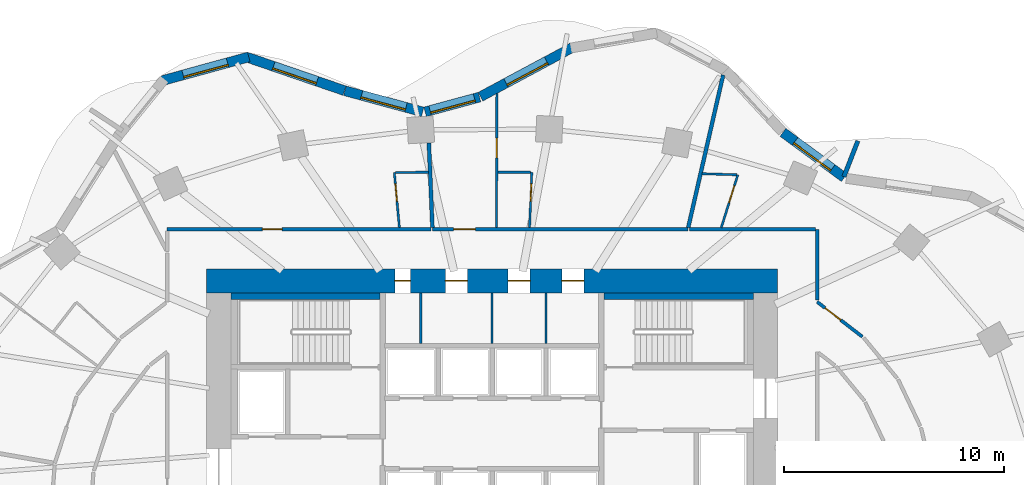
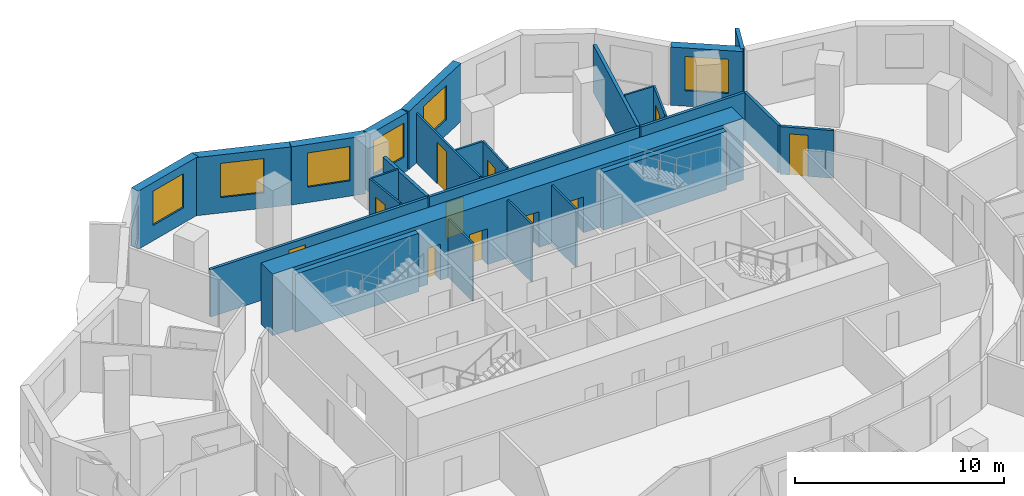
# One storey, part 8 of 10: 27 walls, 11 doors, 6 windows, 17 openings.
"""IFC4 building model written with IfcOpenShell, lengths in metres."""

from ifc_helpers import new_model, si_unit, direction, frame, frame_2d, origin, place, context, subcontext, project, spatial, rectangle, extrude, material, layer, layer_set, type_object, element, fill, save


model = new_model("IFC4")

# Units and contexts
model_context = context("Model", 3, precision=1e-05, world=origin(), true_north=direction((0.0, 1.0)))
body_context = subcontext(model_context, "Body", "Model", "MODEL_VIEW")
ifc_project = project(units=[si_unit("LENGTHUNIT", "METRE"), si_unit("AREAUNIT", "SQUARE_METRE"), si_unit("VOLUMEUNIT", "CUBIC_METRE"), si_unit("PLANEANGLEUNIT", "RADIAN"), si_unit("MASSUNIT", "GRAM", prefix="KILO")], contexts=[model_context])

# Site, building, storey
site_placement = place(None, origin())
site = spatial("IfcSite", under=ifc_project, at=site_placement, CompositionType="ELEMENT")
building_placement = place(site_placement, origin())
building = spatial("IfcBuilding", under=site, at=building_placement, Name="Rubra Terraces Tower", CompositionType="ELEMENT")
storey_placement = place(building_placement, frame((0.0, 0.0, 88.800048828125)))
storey = spatial("IfcBuildingStorey", under=building, at=storey_placement, Name="L20", CompositionType="ELEMENT", Elevation=88.800048828125)

# Walls
ifc_material_1 = material(Name="Twin plasterboard on staggered steel stud, acoustic mineral wool", Category="steel")
ifc_layer_1 = layer(ifc_material_1, 0.175048828125)
ifc_layer_set_1 = layer_set([ifc_layer_1], Name="Twin plasterboard on staggered steel stud, acoustic mineral wool")
wall_type_1 = type_object("IfcWallType", Name="ACOUSTIC PARTY WALL 175", PredefinedType="PARTITIONING", material=ifc_layer_set_1)
wall_1_placement = place(storey_placement, frame((10.518798828125, 20.8251953125, 0.0), z_axis=(0.0, 0.0, 1.0), x_axis=(-0.223124088509, -0.974790049768, 0.0)))
element("IfcWall", 1, at=wall_1_placement, inside=storey, type_object=wall_type_1, Name="PARTITION", PredefinedType="PARTITIONING", context=body_context, shape_type="SweptSolid", body=[
    extrude(rectangle(XDim=7.1318359375, YDim=0.175048828125, at=frame_2d((3.56591796875, 0.0))), origin(), (0.0, 0.0, 1.0), 2.783935546875),
])
wall_2_placement = place(storey_placement, frame((-2.88232421875, 17.732177734375, 0.0), z_axis=(0.0, 0.0, 1.0), x_axis=(0.04199090748, -0.999117992876, 0.0)))
element("IfcWall", 2, at=wall_2_placement, inside=storey, type_object=wall_type_1, Name="PARTITION", PredefinedType="PARTITIONING", context=body_context, shape_type="SweptSolid", body=[
    extrude(rectangle(XDim=3.860595703125, YDim=0.175048828125, at=frame_2d((1.93017578125, 0.0))), origin(), (0.0, 0.0, 1.0), 2.783935546875),
])

# Wall, opening, window
ifc_material_2 = material(Name="Brick masonry red-brown", Category="masonry")
ifc_layer_2 = layer(ifc_material_2, 0.449951171875)
ifc_layer_set_2 = layer_set([ifc_layer_2], Name="Brick masonry red-brown")
wall_type_2 = type_object("IfcWallType", Name="Brick facade wall 450", PredefinedType="SOLIDWALL", material=ifc_layer_set_2)
wall_3_placement = place(storey_placement, frame((16.03564453125, 16.15771484375, 0.0), z_axis=(0.0, 0.0, 1.0), x_axis=(-0.805181432967, 0.593028549064, 0.0)))
wall_3 = element("IfcWall", 3, at=wall_3_placement, inside=storey, type_object=wall_type_2, Name="Facade wall L20 bay 6", PredefinedType="SOLIDWALL", context=body_context, shape_type="SweptSolid", body=[
    extrude(rectangle(XDim=3.468505859375, YDim=0.449951171875, at=frame_2d((1.734375, 0.0))), origin(), (0.0, 0.0, 1.0), 3.39990234375),
])
opening_1_placement = place(wall_3_placement, frame((0.684326171875, 0.0, 0.89990234375)))
opening_1 = element("IfcOpeningElement", 4, at=opening_1_placement, cuts=wall_3, Name="Opening W1", PredefinedType="OPENING", context=body_context, shape_type="SweptSolid", body=[
    extrude(rectangle(XDim=2.10009765625, YDim=2.0, at=frame_2d((1.050048828125, 1.0))), frame((0.0, 0.23486328125, 0.0), z_axis=(0.0, -1.0, 0.0), x_axis=(1.0, 0.0, 0.0)), (0.0, 0.0, 1.0), 0.469970703125),
])
ifc_material_3 = material(Name="Clear glass in aluminium frame", Category="aluminium")
window_type = type_object("IfcWindowType", Name="Fixed deep-set window 2100 x 2000", PartitioningType="SINGLE_PANEL", PredefinedType="WINDOW", material=ifc_material_3)
window_1_placement = place(opening_1_placement, origin())
window_1 = element("IfcWindow", 5, at=window_1_placement, inside=storey, type_object=window_type, Name="Window L20 bay 6", OverallHeight=2.0, OverallWidth=2.10009765625, PartitioningType="SINGLE_PANEL", PredefinedType="WINDOW", context=body_context, shape_type="SweptSolid", body=[
    extrude(rectangle(XDim=2.10009765625, YDim=2.0, at=frame_2d((1.050048828125, 1.0))), frame((0.0, 0.135009765625, 0.0), z_axis=(0.0, -1.0, 0.0), x_axis=(1.0, 0.0, 0.0)), (0.0, 0.0, 1.0), 0.06005859375),
])
fill(opening_1, window_1)

wall_4_placement = place(storey_placement, frame((3.6455078125, 22.07861328125, 0.0), z_axis=(0.0, 0.0, 1.0), x_axis=(-0.881279133897, -0.472596115259, 0.0)))
wall_4 = element("IfcWall", 6, at=wall_4_placement, inside=storey, type_object=wall_type_2, Name="Facade wall L20 bay 10", PredefinedType="SOLIDWALL", context=body_context, shape_type="SweptSolid", body=[
    extrude(rectangle(XDim=4.736572265625, YDim=0.449951171875, at=frame_2d((2.3681640625, 0.0))), origin(), (0.0, 0.0, 1.0), 3.39990234375),
])
opening_2_placement = place(wall_4_placement, frame((1.318115234375, 0.0, 0.89990234375)))
opening_2 = element("IfcOpeningElement", 7, at=opening_2_placement, cuts=wall_4, Name="Opening W1", PredefinedType="OPENING", context=body_context, shape_type="SweptSolid", body=[
    extrude(rectangle(XDim=2.10009765625, YDim=2.0, at=frame_2d((1.050048828125, 1.0))), frame((0.0, 0.23486328125, 0.0), z_axis=(0.0, -1.0, 0.0), x_axis=(1.0, 0.0, 0.0)), (0.0, 0.0, 1.0), 0.469970703125),
])
window_2_placement = place(opening_2_placement, origin())
window_2 = element("IfcWindow", 8, at=window_2_placement, inside=storey, type_object=window_type, Name="Window L20 bay 10", OverallHeight=2.0, OverallWidth=2.10009765625, PartitioningType="SINGLE_PANEL", PredefinedType="WINDOW", context=body_context, shape_type="SweptSolid", body=[
    extrude(rectangle(XDim=2.10009765625, YDim=2.0, at=frame_2d((1.050048828125, 1.0))), frame((0.0, 0.135009765625, 0.0), z_axis=(0.0, -1.0, 0.0), x_axis=(1.0, 0.0, 0.0)), (0.0, 0.0, 1.0), 0.06005859375),
])
fill(opening_2, window_2)

wall_5_placement = place(storey_placement, frame((-0.576171875, 19.8212890625, 0.0), z_axis=(0.0, 0.0, 1.0), x_axis=(-0.965009398019, -0.262215296532, 0.0)))
wall_5 = element("IfcWall", 9, at=wall_5_placement, inside=storey, type_object=wall_type_2, Name="Facade wall L20 bay 11", PredefinedType="SOLIDWALL", context=body_context, shape_type="SweptSolid", body=[
    extrude(rectangle(XDim=2.565185546875, YDim=0.449951171875, at=frame_2d((1.28271484375, 0.0))), origin(), (0.0, 0.0, 1.0), 3.39990234375),
])
opening_3_placement = place(wall_5_placement, frame((0.232666015625, 0.0, 0.89990234375)))
opening_3 = element("IfcOpeningElement", 10, at=opening_3_placement, cuts=wall_5, Name="Opening W1", PredefinedType="OPENING", context=body_context, shape_type="SweptSolid", body=[
    extrude(rectangle(XDim=2.10009765625, YDim=2.0, at=frame_2d((1.050048828125, 1.0))), frame((0.0, 0.23486328125, 0.0), z_axis=(0.0, -1.0, 0.0), x_axis=(1.0, 0.0, 0.0)), (0.0, 0.0, 1.0), 0.469970703125),
])
window_3_placement = place(opening_3_placement, origin())
window_3 = element("IfcWindow", 11, at=window_3_placement, inside=storey, type_object=window_type, Name="Window L20 bay 11", OverallHeight=2.0, OverallWidth=2.10009765625, PartitioningType="SINGLE_PANEL", PredefinedType="WINDOW", context=body_context, shape_type="SweptSolid", body=[
    extrude(rectangle(XDim=2.10009765625, YDim=2.0, at=frame_2d((1.050048828125, 1.0))), frame((0.0, 0.135009765625, 0.0), z_axis=(0.0, -1.0, 0.0), x_axis=(1.0, 0.0, 0.0)), (0.0, 0.0, 1.0), 0.06005859375),
])
fill(opening_3, window_3)

wall_6_placement = place(storey_placement, frame((-3.164306640625, 19.147216796875, 0.0), z_axis=(0.0, 0.0, 1.0), x_axis=(-0.965039479998, 0.262104563191, 0.0)))
wall_6 = element("IfcWall", 12, at=wall_6_placement, inside=storey, type_object=wall_type_2, Name="Facade wall L20 bay 12", PredefinedType="SOLIDWALL", context=body_context, shape_type="SweptSolid", body=[
    extrude(rectangle(XDim=3.671875, YDim=0.449951171875, at=frame_2d((1.8359375, 0.0))), origin(), (0.0, 0.0, 1.0), 3.39990234375),
])
opening_4_placement = place(wall_6_placement, frame((0.785888671875, 0.0, 0.89990234375)))
opening_4 = element("IfcOpeningElement", 13, at=opening_4_placement, cuts=wall_6, Name="Opening W1", PredefinedType="OPENING", context=body_context, shape_type="SweptSolid", body=[
    extrude(rectangle(XDim=2.10009765625, YDim=2.0, at=frame_2d((1.050048828125, 1.0))), frame((0.0, 0.23486328125, 0.0), z_axis=(0.0, -1.0, 0.0), x_axis=(1.0, 0.0, 0.0)), (0.0, 0.0, 1.0), 0.469970703125),
])
window_4_placement = place(opening_4_placement, origin())
window_4 = element("IfcWindow", 14, at=window_4_placement, inside=storey, type_object=window_type, Name="Window L20 bay 12", OverallHeight=2.0, OverallWidth=2.10009765625, PartitioningType="SINGLE_PANEL", PredefinedType="WINDOW", context=body_context, shape_type="SweptSolid", body=[
    extrude(rectangle(XDim=2.10009765625, YDim=2.0, at=frame_2d((1.050048828125, 1.0))), frame((0.0, 0.135009765625, 0.0), z_axis=(0.0, -1.0, 0.0), x_axis=(1.0, 0.0, 0.0)), (0.0, 0.0, 1.0), 0.06005859375),
])
fill(opening_4, window_4)

wall_7_placement = place(storey_placement, frame((-6.722900390625, 20.114013671875, 0.0), z_axis=(0.0, 0.0, 1.0), x_axis=(-0.945947299026, 0.324320377815, 0.0)))
wall_7 = element("IfcWall", 15, at=wall_7_placement, inside=storey, type_object=wall_type_2, Name="Facade wall L20 bay 13", PredefinedType="SOLIDWALL", context=body_context, shape_type="SweptSolid", body=[
    extrude(rectangle(XDim=4.74462890625, YDim=0.449951171875, at=frame_2d((2.372314453125, 0.0))), origin(), (0.0, 0.0, 1.0), 3.39990234375),
])
opening_5_placement = place(wall_7_placement, frame((1.322265625, 0.0, 0.89990234375)))
opening_5 = element("IfcOpeningElement", 16, at=opening_5_placement, cuts=wall_7, Name="Opening W1", PredefinedType="OPENING", context=body_context, shape_type="SweptSolid", body=[
    extrude(rectangle(XDim=2.10009765625, YDim=2.0, at=frame_2d((1.050048828125, 1.0))), frame((0.0, 0.23486328125, 0.0), z_axis=(0.0, -1.0, 0.0), x_axis=(1.0, 0.0, 0.0)), (0.0, 0.0, 1.0), 0.469970703125),
])
window_5_placement = place(opening_5_placement, origin())
window_5 = element("IfcWindow", 17, at=window_5_placement, inside=storey, type_object=window_type, Name="Window L20 bay 13", OverallHeight=2.0, OverallWidth=2.10009765625, PartitioningType="SINGLE_PANEL", PredefinedType="WINDOW", context=body_context, shape_type="SweptSolid", body=[
    extrude(rectangle(XDim=2.10009765625, YDim=2.0, at=frame_2d((1.050048828125, 1.0))), frame((0.0, 0.135009765625, 0.0), z_axis=(0.0, -1.0, 0.0), x_axis=(1.0, 0.0, 0.0)), (0.0, 0.0, 1.0), 0.06005859375),
])
fill(opening_5, window_5)

wall_8_placement = place(storey_placement, frame((-11.08251953125, 21.64990234375, 0.0), z_axis=(0.0, 0.0, 1.0), x_axis=(-0.964483204983, -0.264144179011, 0.0)))
wall_8 = element("IfcWall", 18, at=wall_8_placement, inside=storey, type_object=wall_type_2, Name="Facade wall L20 bay 14", PredefinedType="SOLIDWALL", context=body_context, shape_type="SweptSolid", body=[
    extrude(rectangle(XDim=4.103759765625, YDim=0.449951171875, at=frame_2d((2.0517578125, 0.0))), origin(), (0.0, 0.0, 1.0), 3.39990234375),
])
opening_6_placement = place(wall_8_placement, frame((1.001953125, 0.0, 0.89990234375)))
opening_6 = element("IfcOpeningElement", 19, at=opening_6_placement, cuts=wall_8, Name="Opening W1", PredefinedType="OPENING", context=body_context, shape_type="SweptSolid", body=[
    extrude(rectangle(XDim=2.10009765625, YDim=2.0, at=frame_2d((1.050048828125, 1.0))), frame((0.0, 0.23486328125, 0.0), z_axis=(0.0, -1.0, 0.0), x_axis=(1.0, 0.0, 0.0)), (0.0, 0.0, 1.0), 0.469970703125),
])
window_6_placement = place(opening_6_placement, origin())
window_6 = element("IfcWindow", 20, at=window_6_placement, inside=storey, type_object=window_type, Name="Window L20 bay 14", OverallHeight=2.0, OverallWidth=2.10009765625, PartitioningType="SINGLE_PANEL", PredefinedType="WINDOW", context=body_context, shape_type="SweptSolid", body=[
    extrude(rectangle(XDim=2.10009765625, YDim=2.0, at=frame_2d((1.050048828125, 1.0))), frame((0.0, 0.135009765625, 0.0), z_axis=(0.0, -1.0, 0.0), x_axis=(1.0, 0.0, 0.0)), (0.0, 0.0, 1.0), 0.06005859375),
])
fill(opening_6, window_6)

# Wall
ifc_layer_3 = layer(ifc_material_2, 0.199951171875)
ifc_layer_set_3 = layer_set([ifc_layer_3], Name="Brick masonry red-brown")
wall_type_3 = type_object("IfcWallType", Name="Brick wind fin 200", PredefinedType="SOLIDWALL", material=ifc_layer_set_3)
wall_9_placement = place(storey_placement, frame((16.01904296875, 16.195068359375, 0.0), z_axis=(0.0, 0.0, 1.0), x_axis=(0.362641522028, 0.931928713208, 0.0)))
element("IfcWall", 21, at=wall_9_placement, inside=storey, type_object=wall_type_3, Name="Wind fin L20 4", PredefinedType="SOLIDWALL", context=body_context, shape_type="SweptSolid", body=[
    extrude(rectangle(XDim=1.749755859375, YDim=0.199951171875, at=frame_2d((0.875, 0.0))), origin(), (0.0, 0.0, 1.0), 3.39990234375),
])

# Wall, openings, doors
ifc_material_4 = material(Name="Concrete C60", Category="concrete")
ifc_layer_4 = layer(ifc_material_4, 1.10009765625)
ifc_layer_set_4 = layer_set([ifc_layer_4], Name="Concrete C60")
wall_type_4 = type_object("IfcWallType", Name="CORE WALL 1100 C60", PredefinedType="SHEAR", material=ifc_layer_set_4)
wall_10_placement = place(storey_placement, frame((-13.0, 11.449951171875, 0.0), z_axis=(0.0, 0.0, 1.0), x_axis=(1.0, 0.0, 0.0)))
wall_10 = element("IfcWall", 22, at=wall_10_placement, inside=storey, type_object=wall_type_4, Name="CORE WALL N L20", PredefinedType="SHEAR", context=body_context, shape_type="SweptSolid", body=[
    extrude(rectangle(XDim=26.0, YDim=1.10009765625, at=frame_2d((13.0, 0.0))), origin(), (0.0, 0.0, 1.0), 3.599853515625),
])
opening_7_placement = place(wall_10_placement, frame((8.574951171875, 0.0, 0.0)))
opening_7 = element("IfcOpeningElement", 23, at=opening_7_placement, cuts=wall_10, Name="Opening L20.C23", PredefinedType="OPENING", context=body_context, shape_type="SweptSolid", body=[
    extrude(rectangle(XDim=0.699951171875, YDim=2.10009765625, at=frame_2d((0.35009765625, 1.050048828125))), frame((0.0, 0.56005859375, 0.0), z_axis=(0.0, -1.0, 0.0), x_axis=(1.0, 0.0, 0.0)), (0.0, 0.0, 1.0), 1.1201171875),
])
opening_8_placement = place(wall_10_placement, frame((10.875, 0.0, 0.0)))
opening_8 = element("IfcOpeningElement", 24, at=opening_8_placement, cuts=wall_10, Name="Opening L20.C24", PredefinedType="OPENING", context=body_context, shape_type="SweptSolid", body=[
    extrude(rectangle(XDim=1.0, YDim=2.10009765625, at=frame_2d((0.5, 1.050048828125))), frame((0.0, 0.56005859375, 0.0), z_axis=(0.0, -1.0, 0.0), x_axis=(1.0, 0.0, 0.0)), (0.0, 0.0, 1.0), 1.1201171875),
])
opening_9_placement = place(wall_10_placement, frame((13.72509765625, 0.0, 0.0)))
opening_9 = element("IfcOpeningElement", 25, at=opening_9_placement, cuts=wall_10, Name="Opening L20.C25", PredefinedType="OPENING", context=body_context, shape_type="SweptSolid", body=[
    extrude(rectangle(XDim=1.0, YDim=2.10009765625, at=frame_2d((0.5, 1.050048828125))), frame((0.0, 0.56005859375, 0.0), z_axis=(0.0, -1.0, 0.0), x_axis=(1.0, 0.0, 0.0)), (0.0, 0.0, 1.0), 1.1201171875),
])
opening_10_placement = place(wall_10_placement, frame((16.175048828125, 0.0, 0.0)))
opening_10 = element("IfcOpeningElement", 26, at=opening_10_placement, cuts=wall_10, Name="Opening L20.C26", PredefinedType="OPENING", context=body_context, shape_type="SweptSolid", body=[
    extrude(rectangle(XDim=1.0, YDim=2.10009765625, at=frame_2d((0.5, 1.050048828125))), frame((0.0, 0.56005859375, 0.0), z_axis=(0.0, -1.0, 0.0), x_axis=(1.0, 0.0, 0.0)), (0.0, 0.0, 1.0), 1.1201171875),
])
ifc_material_5 = material(Name="Painted steel", Category="steel")
door_type_1 = type_object("IfcDoorType", Name="Fire door 1000x2100 single", OperationType="NOTDEFINED", PredefinedType="DOOR", material=ifc_material_5)
door_1_placement = place(opening_8_placement, origin())
door_1 = element("IfcDoor", 27, at=door_1_placement, inside=storey, type_object=door_type_1, Name="Housekeeping store door", OperationType="SINGLE_SWING_RIGHT", OverallHeight=2.10009765625, OverallWidth=1.0, PredefinedType="DOOR", context=body_context, shape_type="SweptSolid", body=[
    extrude(rectangle(XDim=1.0, YDim=2.10009765625, at=frame_2d((0.5, 1.050048828125))), frame((0.0, 0.02490234375, 0.0), z_axis=(0.0, -1.0, 0.0), x_axis=(1.0, 0.0, 0.0)), (0.0, 0.0, 1.0), 0.050048828125),
])
fill(opening_8, door_1)
door_2_placement = place(opening_9_placement, origin())
door_2 = element("IfcDoor", 28, at=door_2_placement, inside=storey, type_object=door_type_1, Name="Ice and vending room door", OperationType="SINGLE_SWING_LEFT", OverallHeight=2.10009765625, OverallWidth=1.0, PredefinedType="DOOR", context=body_context, shape_type="SweptSolid", body=[
    extrude(rectangle(XDim=1.0, YDim=2.10009765625, at=frame_2d((0.5, 1.050048828125))), frame((0.0, 0.02490234375, 0.0), z_axis=(0.0, -1.0, 0.0), x_axis=(1.0, 0.0, 0.0)), (0.0, 0.0, 1.0), 0.050048828125),
])
fill(opening_9, door_2)
door_3_placement = place(opening_10_placement, origin())
door_3 = element("IfcDoor", 29, at=door_3_placement, inside=storey, type_object=door_type_1, Name="General store door", OperationType="SINGLE_SWING_RIGHT", OverallHeight=2.10009765625, OverallWidth=1.0, PredefinedType="DOOR", context=body_context, shape_type="SweptSolid", body=[
    extrude(rectangle(XDim=1.0, YDim=2.10009765625, at=frame_2d((0.5, 1.050048828125))), frame((0.0, 0.02490234375, 0.0), z_axis=(0.0, -1.0, 0.0), x_axis=(1.0, 0.0, 0.0)), (0.0, 0.0, 1.0), 0.050048828125),
])
fill(opening_10, door_3)
door_type_2 = type_object("IfcDoorType", Name="Riser access door 700x2100 single", OperationType="NOTDEFINED", PredefinedType="DOOR", material=ifc_material_5)
door_4_placement = place(opening_7_placement, origin())
door_4 = element("IfcDoor", 30, at=door_4_placement, inside=storey, type_object=door_type_2, Name="Water and drainage riser door", OperationType="SINGLE_SWING_LEFT", OverallHeight=2.10009765625, OverallWidth=0.699951171875, PredefinedType="DOOR", context=body_context, shape_type="SweptSolid", body=[
    extrude(rectangle(XDim=0.699951171875, YDim=2.10009765625, at=frame_2d((0.35009765625, 1.050048828125))), frame((0.0, 0.02490234375, 0.0), z_axis=(0.0, -1.0, 0.0), x_axis=(1.0, 0.0, 0.0)), (0.0, 0.0, 1.0), 0.050048828125),
])
fill(opening_7, door_4)

# Wall, opening, door
ifc_material_6 = material(Name="Plasterboard on steel stud, mineral wool infill", Category="steel")
ifc_layer_5 = layer(ifc_material_6, 0.14990234375)
ifc_layer_set_5 = layer_set([ifc_layer_5], Name="Plasterboard on steel stud, mineral wool infill")
wall_type_5 = type_object("IfcWallType", Name="CORRIDOR PARTITION 150", PredefinedType="PARTITIONING", material=ifc_layer_set_5)
wall_11_placement = place(storey_placement, frame((8.91064453125, 13.800048828125, 0.0), z_axis=(0.0, 0.0, 1.0), x_axis=(-1.0, 0.0, 0.0)))
wall_11 = element("IfcWall", 31, at=wall_11_placement, inside=storey, type_object=wall_type_5, Name="PARTITION", PredefinedType="PARTITIONING", context=body_context, shape_type="SweptSolid", body=[
    extrude(rectangle(XDim=11.627685546875, YDim=0.14990234375, at=frame_2d((5.81396484375, 0.0))), origin(), (0.0, 0.0, 1.0), 2.783935546875),
])
opening_11_placement = place(wall_11_placement, frame((9.6689453125, 0.0, 0.0)))
opening_11 = element("IfcOpeningElement", 32, at=opening_11_placement, cuts=wall_11, Name="Opening 20-103", PredefinedType="OPENING", context=body_context, shape_type="SweptSolid", body=[
    extrude(rectangle(XDim=1.0, YDim=2.10009765625, at=frame_2d((0.5, 1.050048828125))), frame((0.0, 0.0849609375, 0.0), z_axis=(0.0, -1.0, 0.0), x_axis=(1.0, 0.0, 0.0)), (0.0, 0.0, 1.0), 0.169921875),
])
ifc_material_7 = material(Name="Painted timber door leaf", Category="wood")
door_type_3 = type_object("IfcDoorType", Name="ROOM DOOR 1000 X 2100", OperationType="SINGLE_SWING_LEFT", PredefinedType="DOOR", material=ifc_material_7)
door_5_placement = place(opening_11_placement, origin())
door_5 = element("IfcDoor", 33, at=door_5_placement, inside=storey, type_object=door_type_3, Name="DOOR 20-103", OperationType="SINGLE_SWING_RIGHT", OverallHeight=2.10009765625, OverallWidth=1.0, PredefinedType="DOOR", context=body_context, shape_type="SweptSolid", body=[
    extrude(rectangle(XDim=1.0, YDim=2.10009765625, at=frame_2d((0.5, 1.050048828125))), frame((0.0, 0.02490234375, 0.0), z_axis=(0.0, -1.0, 0.0), x_axis=(1.0, 0.0, 0.0)), (0.0, 0.0, 1.0), 0.050048828125),
])
fill(opening_11, door_5)

wall_12_placement = place(storey_placement, frame((-2.7919921875, 13.800048828125, 0.0), z_axis=(0.0, 0.0, 1.0), x_axis=(-1.0, 0.0, 0.0)))
wall_12 = element("IfcWall", 34, at=wall_12_placement, inside=storey, type_object=wall_type_5, Name="PARTITION", PredefinedType="PARTITIONING", context=body_context, shape_type="SweptSolid", body=[
    extrude(rectangle(XDim=12.008056640625, YDim=0.14990234375, at=frame_2d((6.00390625, 0.0))), origin(), (0.0, 0.0, 1.0), 2.783935546875),
])
opening_12_placement = place(wall_12_placement, frame((6.77099609375, 0.0, 0.0)))
opening_12 = element("IfcOpeningElement", 35, at=opening_12_placement, cuts=wall_12, Name="Opening 20-105", PredefinedType="OPENING", context=body_context, shape_type="SweptSolid", body=[
    extrude(rectangle(XDim=0.89990234375, YDim=2.39990234375, at=frame_2d((0.449951171875, 1.199951171875))), frame((0.0, 0.0849609375, 0.0), z_axis=(0.0, -1.0, 0.0), x_axis=(1.0, 0.0, 0.0)), (0.0, 0.0, 1.0), 0.169921875),
])
ifc_material_8 = material(Name="Veneered timber door leaf, fire-rated", Category="wood")
door_type_4 = type_object("IfcDoorType", Name="SUITE ENTRANCE DOOR 900 X 2400", OperationType="SINGLE_SWING_LEFT", PredefinedType="DOOR", material=ifc_material_8)
door_6_placement = place(opening_12_placement, origin())
door_6 = element("IfcDoor", 36, at=door_6_placement, inside=storey, type_object=door_type_4, Name="DOOR 20-105", OperationType="SINGLE_SWING_RIGHT", OverallHeight=2.39990234375, OverallWidth=0.89990234375, PredefinedType="DOOR", context=body_context, shape_type="SweptSolid", body=[
    extrude(rectangle(XDim=0.89990234375, YDim=2.39990234375, at=frame_2d((0.449951171875, 1.199951171875))), frame((0.0, 0.02490234375, 0.0), z_axis=(0.0, -1.0, 0.0), x_axis=(1.0, 0.0, 0.0)), (0.0, 0.0, 1.0), 0.050048828125),
])
fill(opening_12, door_6)

wall_13_placement = place(storey_placement, frame((16.86181640625, 8.905029296875, 0.0), z_axis=(0.0, 0.0, 1.0), x_axis=(-0.791542595332, 0.611113999001, 0.0)))
wall_13 = element("IfcWall", 37, at=wall_13_placement, inside=storey, type_object=wall_type_5, Name="PARTITION", PredefinedType="PARTITIONING", context=body_context, shape_type="SweptSolid", body=[
    extrude(rectangle(XDim=2.604736328125, YDim=0.14990234375, at=frame_2d((1.30224609375, 0.0))), origin(), (0.0, 0.0, 1.0), 2.783935546875),
])
opening_13_placement = place(wall_13_placement, frame((1.25, 0.0, 0.0)))
opening_13 = element("IfcOpeningElement", 38, at=opening_13_placement, cuts=wall_13, Name="Opening 20-128", PredefinedType="OPENING", context=body_context, shape_type="SweptSolid", body=[
    extrude(rectangle(XDim=0.89990234375, YDim=2.39990234375, at=frame_2d((0.449951171875, 1.199951171875))), frame((0.0, 0.0849609375, 0.0), z_axis=(0.0, -1.0, 0.0), x_axis=(1.0, 0.0, 0.0)), (0.0, 0.0, 1.0), 0.169921875),
])
door_7_placement = place(opening_13_placement, origin())
door_7 = element("IfcDoor", 39, at=door_7_placement, inside=storey, type_object=door_type_4, Name="DOOR 20-128", OperationType="SINGLE_SWING_RIGHT", OverallHeight=2.39990234375, OverallWidth=0.89990234375, PredefinedType="DOOR", context=body_context, shape_type="SweptSolid", body=[
    extrude(rectangle(XDim=0.89990234375, YDim=2.39990234375, at=frame_2d((0.449951171875, 1.199951171875))), frame((0.0, 0.02490234375, 0.0), z_axis=(0.0, -1.0, 0.0), x_axis=(1.0, 0.0, 0.0)), (0.0, 0.0, 1.0), 0.050048828125),
])
fill(opening_13, door_7)

# Walls
wall_14_placement = place(storey_placement, frame((14.800048828125, 10.57177734375, 0.0), z_axis=(0.0, 0.0, 1.0), x_axis=(0.0, 1.0, 0.0)))
element("IfcWall", 40, at=wall_14_placement, inside=storey, type_object=wall_type_5, Name="PARTITION", PredefinedType="PARTITIONING", context=body_context, shape_type="SweptSolid", body=[
    extrude(rectangle(XDim=3.228271484375, YDim=0.14990234375, at=frame_2d((1.6142578125, 0.0))), origin(), (0.0, 0.0, 1.0), 2.783935546875),
])
wall_15_placement = place(storey_placement, frame((14.72509765625, 13.800048828125, 0.0), z_axis=(0.0, 0.0, 1.0), x_axis=(-1.0, 0.0, 0.0)))
element("IfcWall", 41, at=wall_15_placement, inside=storey, type_object=wall_type_5, Name="PARTITION", PredefinedType="PARTITIONING", context=body_context, shape_type="SweptSolid", body=[
    extrude(rectangle(XDim=5.739501953125, YDim=0.14990234375, at=frame_2d((2.86962890625, 0.0))), origin(), (0.0, 0.0, 1.0), 2.783935546875),
])
ifc_material_9 = material(Name="Concrete C40", Category="concrete")
ifc_layer_6 = layer(ifc_material_9, 0.300048828125)
ifc_layer_set_6 = layer_set([ifc_layer_6], Name="Concrete C40")
wall_type_6 = type_object("IfcWallType", Name="Core lining wall 300 concrete", PredefinedType="SOLIDWALL", material=ifc_layer_set_6)
for number, where, z_axis, x_axis, name in (
    (42, (-11.89990234375, 10.75, 0.0), (0.0, 0.0, 1.0), (1.0, 0.0, 0.0), "CORE LINING WALL L20"),
    (43, (11.89990234375, 10.75, 0.0), (0.0, 0.0, 1.0), (-1.0, 0.0, 0.0), "CORE LINING WALL L20"),
):
    element("IfcWall", number, at=place(storey_placement, frame(where, z_axis=z_axis, x_axis=x_axis)), inside=storey, type_object=wall_type_6, Name=name, PredefinedType="SOLIDWALL", context=body_context, shape_type="SweptSolid", body=[
        extrude(rectangle(XDim=6.7998046875, YDim=0.300048828125, at=frame_2d((3.39990234375, 0.0))), origin(), (0.0, 0.0, 1.0), 3.39990234375),
    ])

# Wall, opening, door
ifc_material_10 = material(Name="Plasterboard on steel stud", Category="steel")
ifc_layer_7 = layer(ifc_material_10, 0.10009765625)
ifc_layer_set_7 = layer_set([ifc_layer_7], Name="Plasterboard on steel stud")
wall_type_7 = type_object("IfcWallType", Name="ROOM PARTITION 100", PredefinedType="PARTITIONING", material=ifc_layer_set_7)
wall_16_placement = place(storey_placement, frame((0.21435546875, 19.978759765625, 0.0), z_axis=(0.0, 0.0, 1.0), x_axis=(-0.002359899032, -0.999997215434, 0.0)))
wall_16 = element("IfcWall", 44, at=wall_16_placement, inside=storey, type_object=wall_type_7, Name="PARTITION", PredefinedType="PARTITIONING", context=body_context, shape_type="SweptSolid", body=[
    extrude(rectangle(XDim=6.103759765625, YDim=0.10009765625, at=frame_2d((3.0517578125, 0.0))), origin(), (0.0, 0.0, 1.0), 2.884033203125),
])
opening_14_placement = place(wall_16_placement, frame((2.029052734375, 0.0, 0.0)))
opening_14 = element("IfcOpeningElement", 45, at=opening_14_placement, cuts=wall_16, Name="Opening 20-102", PredefinedType="OPENING", context=body_context, shape_type="SweptSolid", body=[
    extrude(rectangle(XDim=0.89990234375, YDim=2.39990234375, at=frame_2d((0.449951171875, 1.199951171875))), frame((0.0, 0.06005859375, 0.0), z_axis=(0.0, -1.0, 0.0), x_axis=(1.0, 0.0, 0.0)), (0.0, 0.0, 1.0), 0.1201171875),
])
door_8_placement = place(opening_14_placement, origin())
door_8 = element("IfcDoor", 46, at=door_8_placement, inside=storey, type_object=door_type_4, Name="DOOR 20-102", OperationType="SINGLE_SWING_LEFT", OverallHeight=2.39990234375, OverallWidth=0.89990234375, PredefinedType="DOOR", context=body_context, shape_type="SweptSolid", body=[
    extrude(rectangle(XDim=0.89990234375, YDim=2.39990234375, at=frame_2d((0.449951171875, 1.199951171875))), frame((0.0, 0.02490234375, 0.0), z_axis=(0.0, -1.0, 0.0), x_axis=(1.0, 0.0, 0.0)), (0.0, 0.0, 1.0), 0.050048828125),
])
fill(opening_14, door_8)

wall_17_placement = place(storey_placement, frame((1.702880859375, 13.875, 0.0), z_axis=(0.0, 0.0, 1.0), x_axis=(0.040512484472, 0.999179032307, 0.0)))
wall_17 = element("IfcWall", 47, at=wall_17_placement, inside=storey, type_object=wall_type_7, Name="PARTITION", PredefinedType="PARTITIONING", context=body_context, shape_type="SweptSolid", body=[
    extrude(rectangle(XDim=2.52490234375, YDim=0.10009765625, at=frame_2d((1.262451171875, 0.0))), origin(), (0.0, 0.0, 1.0), 2.884033203125),
])
opening_15_placement = place(wall_17_placement, frame((1.199951171875, 0.0, 0.0)))
opening_15 = element("IfcOpeningElement", 48, at=opening_15_placement, cuts=wall_17, Name="Opening 20-101", PredefinedType="OPENING", context=body_context, shape_type="SweptSolid", body=[
    extrude(rectangle(XDim=0.800048828125, YDim=2.10009765625, at=frame_2d((0.39990234375, 1.050048828125))), frame((0.0, 0.06005859375, 0.0), z_axis=(0.0, -1.0, 0.0), x_axis=(1.0, 0.0, 0.0)), (0.0, 0.0, 1.0), 0.1201171875),
])
door_type_5 = type_object("IfcDoorType", Name="BATHROOM DOOR 800 X 2100", OperationType="SINGLE_SWING_LEFT", PredefinedType="DOOR", material=ifc_material_7)
door_9_placement = place(opening_15_placement, origin())
door_9 = element("IfcDoor", 49, at=door_9_placement, inside=storey, type_object=door_type_5, Name="DOOR 20-101", OperationType="SINGLE_SWING_LEFT", OverallHeight=2.10009765625, OverallWidth=0.800048828125, PredefinedType="DOOR", context=body_context, shape_type="SweptSolid", body=[
    extrude(rectangle(XDim=0.800048828125, YDim=2.10009765625, at=frame_2d((0.39990234375, 1.050048828125))), frame((0.0, 0.02490234375, 0.0), z_axis=(0.0, -1.0, 0.0), x_axis=(1.0, 0.0, 0.0)), (0.0, 0.0, 1.0), 0.050048828125),
])
fill(opening_15, door_9)

# Wall
wall_18_placement = place(storey_placement, frame((1.755126953125, 16.39794921875, 0.0), z_axis=(0.0, 0.0, 1.0), x_axis=(-0.999999151462, 0.001302718321, 0.0)))
element("IfcWall", 50, at=wall_18_placement, inside=storey, type_object=wall_type_7, Name="PARTITION", PredefinedType="PARTITIONING", context=body_context, shape_type="SweptSolid", body=[
    extrude(rectangle(XDim=1.499267578125, YDim=0.10009765625, at=frame_2d((0.74951171875, 0.0))), origin(), (0.0, 0.0, 1.0), 2.884033203125),
])

# Wall, opening, door
wall_19_placement = place(storey_placement, frame((-4.223876953125, 13.874755859375, 0.0), z_axis=(0.0, 0.0, 1.0), x_axis=(-0.09127675815, 0.995825563752, 0.0)))
wall_19 = element("IfcWall", 51, at=wall_19_placement, inside=storey, type_object=wall_type_7, Name="PARTITION", PredefinedType="PARTITIONING", context=body_context, shape_type="SweptSolid", body=[
    extrude(rectangle(XDim=2.52490234375, YDim=0.10009765625, at=frame_2d((1.262451171875, 0.0))), origin(), (0.0, 0.0, 1.0), 2.884033203125),
])
opening_16_placement = place(wall_19_placement, frame((1.199951171875, 0.0, 0.0)))
opening_16 = element("IfcOpeningElement", 52, at=opening_16_placement, cuts=wall_19, Name="Opening 20-104", PredefinedType="OPENING", context=body_context, shape_type="SweptSolid", body=[
    extrude(rectangle(XDim=0.800048828125, YDim=2.10009765625, at=frame_2d((0.39990234375, 1.050048828125))), frame((0.0, 0.06005859375, 0.0), z_axis=(0.0, -1.0, 0.0), x_axis=(1.0, 0.0, 0.0)), (0.0, 0.0, 1.0), 0.1201171875),
])
door_10_placement = place(opening_16_placement, origin())
door_10 = element("IfcDoor", 53, at=door_10_placement, inside=storey, type_object=door_type_5, Name="DOOR 20-104", OperationType="SINGLE_SWING_LEFT", OverallHeight=2.10009765625, OverallWidth=0.800048828125, PredefinedType="DOOR", context=body_context, shape_type="SweptSolid", body=[
    extrude(rectangle(XDim=0.800048828125, YDim=2.10009765625, at=frame_2d((0.39990234375, 1.050048828125))), frame((0.0, 0.02490234375, 0.0), z_axis=(0.0, -1.0, 0.0), x_axis=(1.0, 0.0, 0.0)), (0.0, 0.0, 1.0), 0.050048828125),
])
fill(opening_16, door_10)

# Wall
wall_20_placement = place(storey_placement, frame((-4.404296875, 16.389404296875, 0.0), z_axis=(0.0, 0.0, 1.0), x_axis=(0.999986489733, 0.005198110408, 0.0)))
element("IfcWall", 54, at=wall_20_placement, inside=storey, type_object=wall_type_7, Name="PARTITION", PredefinedType="PARTITIONING", context=body_context, shape_type="SweptSolid", body=[
    extrude(rectangle(XDim=1.5029296875, YDim=0.10009765625, at=frame_2d((0.75146484375, 0.0))), origin(), (0.0, 0.0, 1.0), 2.884033203125),
])

# Wall, opening, door
wall_21_placement = place(storey_placement, frame((10.43310546875, 13.87158203125, 0.0), z_axis=(0.0, 0.0, 1.0), x_axis=(0.298770443437, 0.954325008647, 0.0)))
wall_21 = element("IfcWall", 55, at=wall_21_placement, inside=storey, type_object=wall_type_7, Name="PARTITION", PredefinedType="PARTITIONING", context=body_context, shape_type="SweptSolid", body=[
    extrude(rectangle(XDim=2.52490234375, YDim=0.10009765625, at=frame_2d((1.262451171875, 0.0))), origin(), (0.0, 0.0, 1.0), 2.884033203125),
])
opening_17_placement = place(wall_21_placement, frame((1.199951171875, 0.0, 0.0)))
opening_17 = element("IfcOpeningElement", 56, at=opening_17_placement, cuts=wall_21, Name="Opening 20-127", PredefinedType="OPENING", context=body_context, shape_type="SweptSolid", body=[
    extrude(rectangle(XDim=0.800048828125, YDim=2.10009765625, at=frame_2d((0.39990234375, 1.050048828125))), frame((0.0, 0.06005859375, 0.0), z_axis=(0.0, -1.0, 0.0), x_axis=(1.0, 0.0, 0.0)), (0.0, 0.0, 1.0), 0.1201171875),
])
door_11_placement = place(opening_17_placement, origin())
door_11 = element("IfcDoor", 57, at=door_11_placement, inside=storey, type_object=door_type_5, Name="DOOR 20-127", OperationType="SINGLE_SWING_LEFT", OverallHeight=2.10009765625, OverallWidth=0.800048828125, PredefinedType="DOOR", context=body_context, shape_type="SweptSolid", body=[
    extrude(rectangle(XDim=0.800048828125, YDim=2.10009765625, at=frame_2d((0.39990234375, 1.050048828125))), frame((0.0, 0.02490234375, 0.0), z_axis=(0.0, -1.0, 0.0), x_axis=(1.0, 0.0, 0.0)), (0.0, 0.0, 1.0), 0.050048828125),
])
fill(opening_17, door_11)

# Walls
wall_22_placement = place(storey_placement, frame((11.1376953125, 16.28271484375, 0.0), z_axis=(0.0, 0.0, 1.0), x_axis=(-0.99950813006, 0.031360770779, 0.0)))
element("IfcWall", 58, at=wall_22_placement, inside=storey, type_object=wall_type_7, Name="PARTITION", PredefinedType="PARTITIONING", context=body_context, shape_type="SweptSolid", body=[
    extrude(rectangle(XDim=1.572509765625, YDim=0.10009765625, at=frame_2d((0.7861328125, 0.0))), origin(), (0.0, 0.0, 1.0), 2.884033203125),
])
ifc_material_11 = material(Name="Blockwork", Category="masonry")
ifc_layer_8 = layer(ifc_material_11, 0.10009765625)
ifc_layer_set_8 = layer_set([ifc_layer_8], Name="Blockwork")
wall_type_8 = type_object("IfcWallType", Name="Service partition 100 blockwork", PredefinedType="PARTITIONING", material=ifc_layer_set_8)
for number, where, z_axis, x_axis, name in (
    (59, (-3.25, 8.60009765625, 0.0), (0.0, 0.0, 1.0), (0.0, 1.0, 0.0), "SERVICE ROOM PARTITION L20"),
    (60, (0.0, 8.60009765625, 0.0), (0.0, 0.0, 1.0), (0.0, 1.0, 0.0), "SERVICE ROOM PARTITION L20"),
    (61, (2.449951171875, 8.60009765625, 0.0), (0.0, 0.0, 1.0), (0.0, 1.0, 0.0), "SERVICE ROOM PARTITION L20"),
):
    element("IfcWall", number, at=place(storey_placement, frame(where, z_axis=z_axis, x_axis=x_axis)), inside=storey, type_object=wall_type_8, Name=name, PredefinedType="PARTITIONING", context=body_context, shape_type="SweptSolid", body=[
        extrude(rectangle(XDim=2.2998046875, YDim=0.10009765625, at=frame_2d((1.14990234375, 0.0))), origin(), (0.0, 0.0, 1.0), 3.39990234375),
    ])

save(model, "model.ifc")
